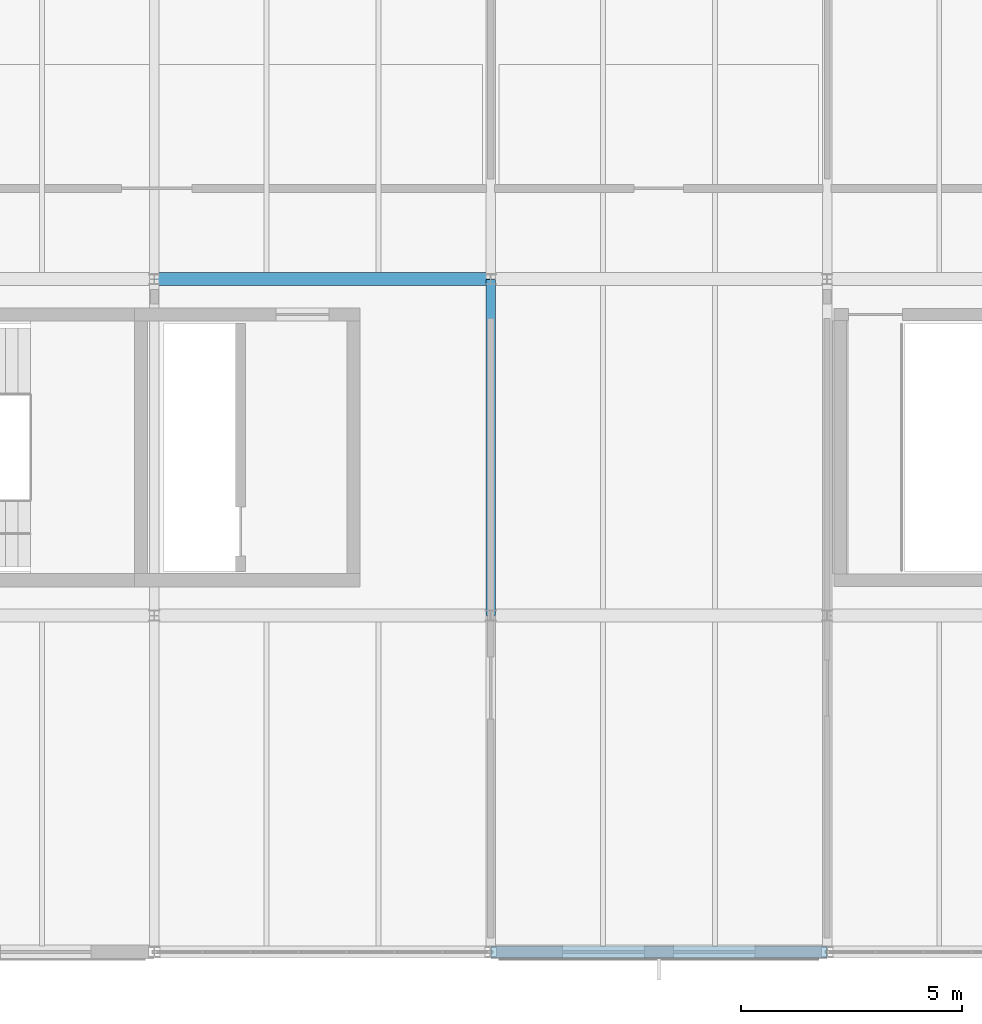
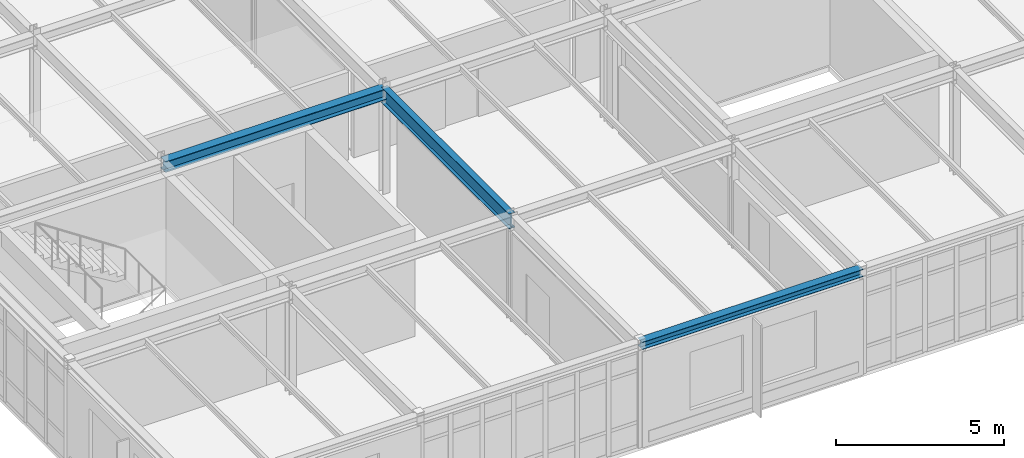
# One storey, part 27 of 189: 3 beams.
"""IFC4 building model written with IfcOpenShell, lengths in metres."""

from ifc_helpers import new_model, si_unit, direction, frame, origin, origin_2d, place, context, subcontext, project, spatial, i_section, extrude, material, material_profile, profile_set, type_object, element, save


model = new_model("IFC4")

# Units and contexts
model_context = context("Model", 3, precision=1e-05, world=origin(), true_north=direction((0.0, 1.0)))
body_context = subcontext(model_context, "Body", "Model", "MODEL_VIEW")
ifc_project = project(units=[si_unit("LENGTHUNIT", "METRE"), si_unit("AREAUNIT", "SQUARE_METRE"), si_unit("VOLUMEUNIT", "CUBIC_METRE"), si_unit("PLANEANGLEUNIT", "RADIAN"), si_unit("MASSUNIT", "GRAM", prefix="KILO")], contexts=[model_context])

# Site, building, storey
site_placement = place(None, origin())
site = spatial("IfcSite", under=ifc_project, at=site_placement, CompositionType="ELEMENT")
building_placement = place(site_placement, origin())
building = spatial("IfcBuilding", under=site, at=building_placement, Name="Montecoro Central Library", CompositionType="ELEMENT")
storey_placement = place(building_placement, frame((0.0, 0.0, 9.179931640625)))
storey = spatial("IfcBuildingStorey", under=building, at=storey_placement, Name="L02", CompositionType="ELEMENT", Elevation=9.179931640625)

# Beams
ifc_material_1 = material(Name="Steel S355", Category="steel")
ifc_material_profile_1 = material_profile(ifc_material_1, i_section(OverallWidth=0.300048828125, OverallDepth=0.389892578125, WebThickness=0.010986328125, FlangeThickness=0.01904296875, at=origin_2d()), Name="HEA 400")
ifc_profile_set_1 = profile_set([ifc_material_profile_1], Name="Steel S355")
beam_type_1 = type_object("IfcBeamType", Name="BM-G-HEA400", PredefinedType="USERDEFINED", material=ifc_profile_set_1)
beam_1_placement = place(storey_placement, frame((12.60498046875, 20.199951171875, 3.630126953125), z_axis=(1.0, 0.0, 0.0), x_axis=(0.0, 1.0, 0.0)))
element("IfcBeam", 1, at=beam_1_placement, inside=storey, type_object=beam_type_1, Name="V3-L02-BX-23-C", ObjectType="GIRDER", PredefinedType="USERDEFINED", context=body_context, shape_type="SweptSolid", body=[
    extrude(i_section(OverallWidth=0.300048828125, OverallDepth=0.389892578125, WebThickness=0.010986328125, FlangeThickness=0.01904296875, at=origin_2d()), origin(), (0.0, 0.0, 1.0), 7.590087890625),
])
ifc_material_2 = material(Name="Steel S355J2", Category="steel")
ifc_material_profile_2 = material_profile(ifc_material_2, i_section(OverallWidth=0.2099609375, OverallDepth=0.550048828125, WebThickness=0.010986328125, FlangeThickness=0.01708984375, at=origin_2d()), Name="IPE 550")
ifc_profile_set_2 = profile_set([ifc_material_profile_2], Name="Steel S355J2")
beam_type_2 = type_object("IfcBeamType", Name="BM-G-IPE550", PredefinedType="USERDEFINED", material=ifc_profile_set_2)
beam_2_placement = place(storey_placement, frame((20.199951171875, 12.60498046875, 3.550048828125), z_axis=(0.0, 1.0, 0.0), x_axis=(-1.0, 0.0, 0.0)))
element("IfcBeam", 2, at=beam_2_placement, inside=storey, type_object=beam_type_2, Name="V3-L02-BY-3-BC", ObjectType="GIRDER", PredefinedType="USERDEFINED", context=body_context, shape_type="SweptSolid", body=[
    extrude(i_section(OverallWidth=0.2099609375, OverallDepth=0.550048828125, WebThickness=0.010986328125, FlangeThickness=0.01708984375, at=origin_2d()), origin(), (0.0, 0.0, 1.0), 7.590087890625),
])
ifc_material_profile_3 = material_profile(ifc_material_1, i_section(OverallWidth=0.280029296875, OverallDepth=0.27001953125, WebThickness=0.008056640625, FlangeThickness=0.012939453125, at=origin_2d()), Name="HEA 280")
ifc_profile_set_3 = profile_set([ifc_material_profile_3], Name="Steel S355")
beam_type_3 = type_object("IfcBeamType", Name="BM-SP-HEA280", PredefinedType="SPANDREL", material=ifc_profile_set_3)
beam_3_placement = place(storey_placement, frame((20.205078125, 5.0, 3.690185546875), z_axis=(1.0, 0.0, 0.0), x_axis=(0.0, 1.0, 0.0)))
element("IfcBeam", 3, at=beam_3_placement, inside=storey, type_object=beam_type_3, Name="V3-L02-BX-34-A", PredefinedType="SPANDREL", context=body_context, shape_type="SweptSolid", body=[
    extrude(i_section(OverallWidth=0.280029296875, OverallDepth=0.27001953125, WebThickness=0.008056640625, FlangeThickness=0.012939453125, at=origin_2d()), origin(), (0.0, 0.0, 1.0), 7.58984375),
])

save(model, "model.ifc")
